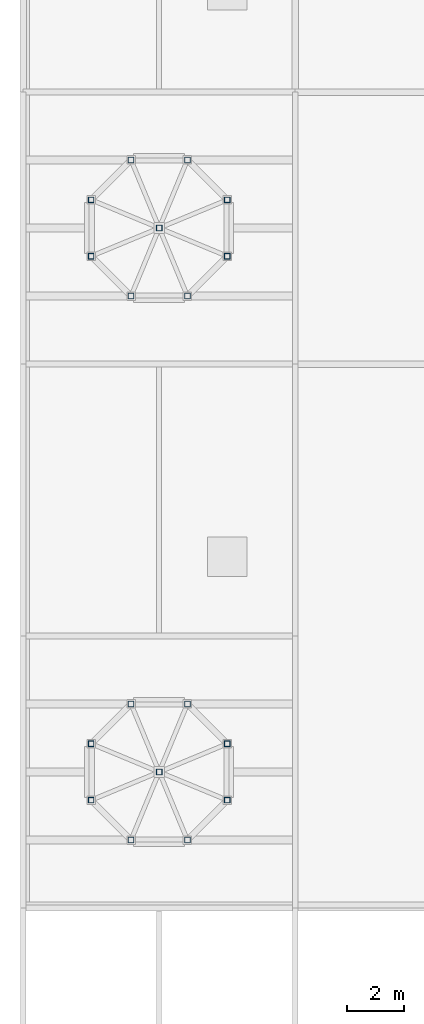
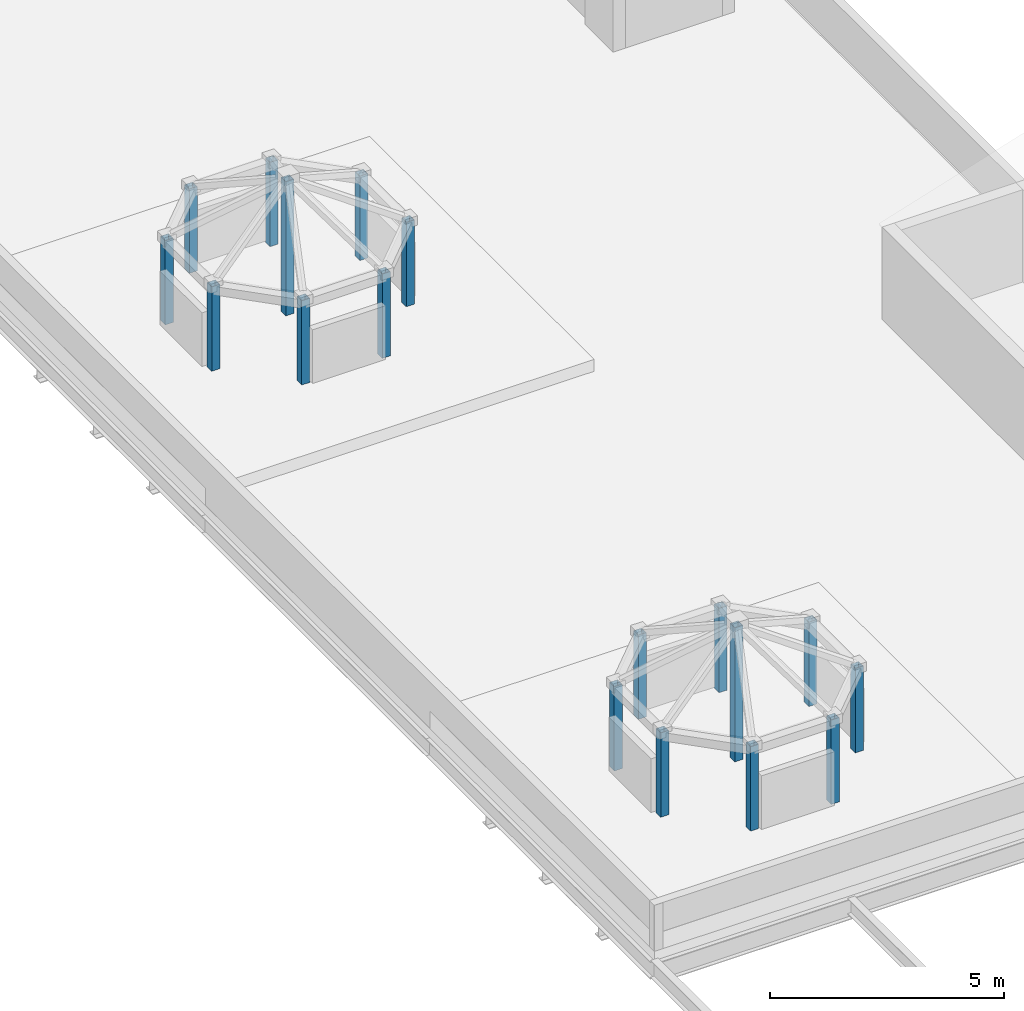
# One storey, part 1 of 5: 18 columns.
"""IFC4 building model written with IfcOpenShell, lengths in metres."""

from ifc_helpers import new_model, si_unit, direction, frame, origin, origin_2d, place, context, subcontext, project, spatial, hollow_rectangle, extrude, material, material_profile, profile_set, type_object, element, save


model = new_model("IFC4")

# Units and contexts
model_context = context("Model", 3, precision=1e-05, world=origin(), true_north=direction((0.0, 1.0)))
body_context = subcontext(model_context, "Body", "Model", "MODEL_VIEW")
ifc_project = project(units=[si_unit("LENGTHUNIT", "METRE"), si_unit("AREAUNIT", "SQUARE_METRE"), si_unit("VOLUMEUNIT", "CUBIC_METRE"), si_unit("PLANEANGLEUNIT", "RADIAN"), si_unit("MASSUNIT", "GRAM", prefix="KILO")], contexts=[model_context])

# Site, building, storey
site_placement = place(None, origin())
site = spatial("IfcSite", under=ifc_project, at=site_placement, CompositionType="ELEMENT")
building_placement = place(site_placement, origin())
building = spatial("IfcBuilding", under=site, at=building_placement, Name="Almandine Court Research Institute", CompositionType="ELEMENT")
storey_placement = place(building_placement, frame((0.0, 0.0, 46.199951171875)))
storey = spatial("IfcBuildingStorey", under=building, at=storey_placement, Name="RF", CompositionType="ELEMENT", Elevation=46.199951171875)

# Columns
ifc_material = material(Name="Steel ASTM A500 Grade C", Category="steel")
ifc_material_profile = material_profile(ifc_material, hollow_rectangle(XDim=0.199951171875, YDim=0.199951171875, WallThickness=0.008056640625, at=origin_2d()), Name="HSS 200x200x8")
ifc_profile_set = profile_set([ifc_material_profile], Name="Steel ASTM A500 Grade C")
column_type = type_object("IfcColumnType", Name="Col-C-CH1-E", PredefinedType="COLUMN", material=ifc_profile_set)
for number, where, z_axis, x_axis, name in (
    (1, (160.802001953125, 21.39501953125, 0.449951171875), (0.0, 0.0, 1.0), (1.0, 0.0, 0.0), "RF Chhatri Exhaust Lantern 1 Post 1"),
    (2, (159.39501953125, 22.802001953125, 0.449951171875), (0.0, 0.0, 1.0), (1.0, 0.0, 0.0), "RF Chhatri Exhaust Lantern 1 Post 2"),
    (3, (157.405029296875, 22.802001953125, 0.449951171875), (0.0, 0.0, 1.0), (1.0, 0.0, 0.0), "RF Chhatri Exhaust Lantern 1 Post 3"),
    (4, (155.998046875, 21.39501953125, 0.449951171875), (0.0, 0.0, 1.0), (1.0, 0.0, 0.0), "RF Chhatri Exhaust Lantern 1 Post 4"),
    (5, (155.998046875, 19.405029296875, 0.449951171875), (0.0, 0.0, 1.0), (1.0, 0.0, 0.0), "RF Chhatri Exhaust Lantern 1 Post 5"),
    (6, (157.405029296875, 17.998046875, 0.449951171875), (0.0, 0.0, 1.0), (1.0, 0.0, 0.0), "RF Chhatri Exhaust Lantern 1 Post 6"),
    (7, (159.39501953125, 17.998046875, 0.449951171875), (0.0, 0.0, 1.0), (1.0, 0.0, 0.0), "RF Chhatri Exhaust Lantern 1 Post 7"),
    (8, (160.802001953125, 19.405029296875, 0.449951171875), (0.0, 0.0, 1.0), (1.0, 0.0, 0.0), "RF Chhatri Exhaust Lantern 1 Post 8"),
):
    element("IfcColumn", number, at=place(storey_placement, frame(where, z_axis=z_axis, x_axis=x_axis)), inside=storey, type_object=column_type, Name=name, PredefinedType="COLUMN", context=body_context, shape_type="SweptSolid", body=[
        extrude(hollow_rectangle(XDim=0.199951171875, YDim=0.199951171875, WallThickness=0.008056640625, at=origin_2d()), origin(), (0.0, 0.0, 1.0), 2.2001953125),
    ])
column_1_placement = place(storey_placement, frame((158.39990234375, 20.39990234375, 0.449951171875), z_axis=(0.0, 0.0, 1.0), x_axis=(1.0, 0.0, 0.0)))
element("IfcColumn", 9, at=column_1_placement, inside=storey, type_object=column_type, Name="RF Chhatri Lantern 1 Central King Post", PredefinedType="COLUMN", context=body_context, shape_type="SweptSolid", body=[
    extrude(hollow_rectangle(XDim=0.199951171875, YDim=0.199951171875, WallThickness=0.008056640625, at=origin_2d()), origin(), (0.0, 0.0, 1.0), 3.5),
])
for number, where, z_axis, x_axis, name in (
    (10, (160.802001953125, 40.594970703125, 0.449951171875), (0.0, 0.0, 1.0), (1.0, 0.0, 0.0), "RF Chhatri Exhaust Lantern 2 Post 1"),
    (11, (159.39501953125, 42.001953125, 0.449951171875), (0.0, 0.0, 1.0), (1.0, 0.0, 0.0), "RF Chhatri Exhaust Lantern 2 Post 2"),
    (12, (157.405029296875, 42.001953125, 0.449951171875), (0.0, 0.0, 1.0), (1.0, 0.0, 0.0), "RF Chhatri Exhaust Lantern 2 Post 3"),
    (13, (155.998046875, 40.594970703125, 0.449951171875), (0.0, 0.0, 1.0), (1.0, 0.0, 0.0), "RF Chhatri Exhaust Lantern 2 Post 4"),
    (14, (155.998046875, 38.60498046875, 0.449951171875), (0.0, 0.0, 1.0), (1.0, 0.0, 0.0), "RF Chhatri Exhaust Lantern 2 Post 5"),
    (15, (157.405029296875, 37.197998046875, 0.449951171875), (0.0, 0.0, 1.0), (1.0, 0.0, 0.0), "RF Chhatri Exhaust Lantern 2 Post 6"),
    (16, (159.39501953125, 37.197998046875, 0.449951171875), (0.0, 0.0, 1.0), (1.0, 0.0, 0.0), "RF Chhatri Exhaust Lantern 2 Post 7"),
    (17, (160.802001953125, 38.60498046875, 0.449951171875), (0.0, 0.0, 1.0), (1.0, 0.0, 0.0), "RF Chhatri Exhaust Lantern 2 Post 8"),
):
    element("IfcColumn", number, at=place(storey_placement, frame(where, z_axis=z_axis, x_axis=x_axis)), inside=storey, type_object=column_type, Name=name, PredefinedType="COLUMN", context=body_context, shape_type="SweptSolid", body=[
        extrude(hollow_rectangle(XDim=0.199951171875, YDim=0.199951171875, WallThickness=0.008056640625, at=origin_2d()), origin(), (0.0, 0.0, 1.0), 2.2001953125),
    ])
column_2_placement = place(storey_placement, frame((158.39990234375, 39.60009765625, 0.449951171875), z_axis=(0.0, 0.0, 1.0), x_axis=(1.0, 0.0, 0.0)))
element("IfcColumn", 18, at=column_2_placement, inside=storey, type_object=column_type, Name="RF Chhatri Lantern 2 Central King Post", PredefinedType="COLUMN", context=body_context, shape_type="SweptSolid", body=[
    extrude(hollow_rectangle(XDim=0.199951171875, YDim=0.199951171875, WallThickness=0.008056640625, at=origin_2d()), origin(), (0.0, 0.0, 1.0), 3.5),
])

save(model, "model.ifc")
